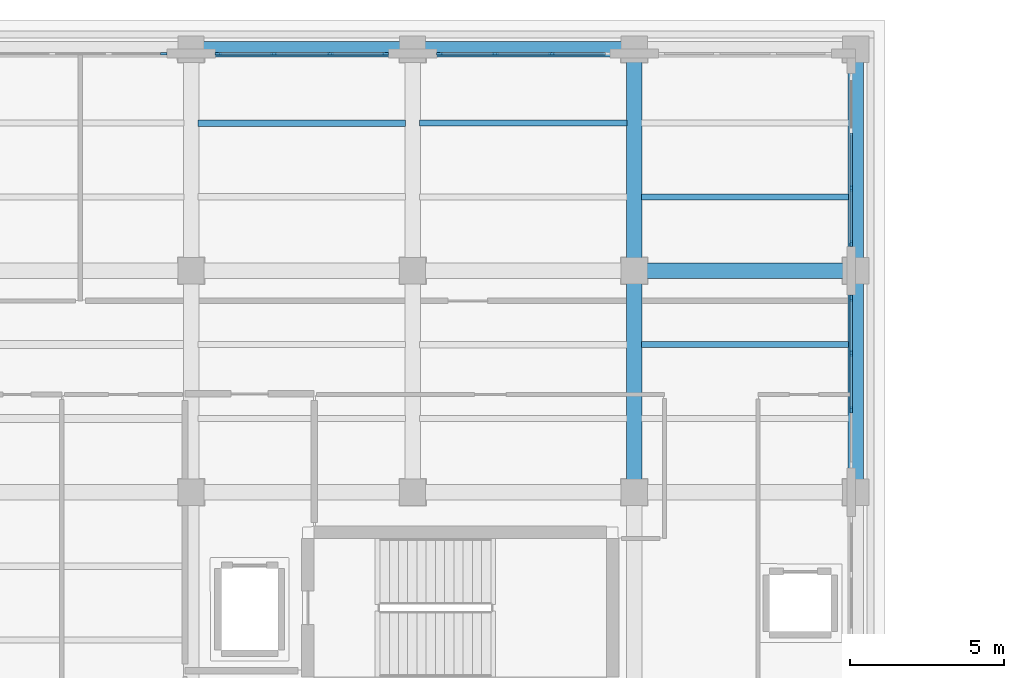
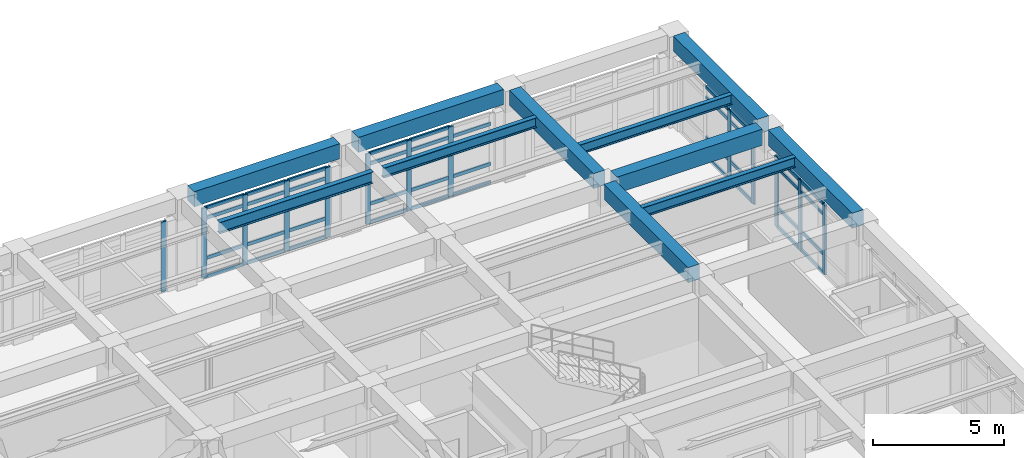
# One storey, part 33 of 69: 52 members, 11 beams, 5 elements without a shape of their own.
"""IFC4 building model written with IfcOpenShell, lengths in metres."""

from ifc_helpers import new_model, si_unit, direction, frame, origin, origin_2d, place, context, subcontext, project, spatial, rectangle, i_section, extrude, material, layer, layer_set, material_profile, profile_set, type_object, element, aggregate, save


model = new_model("IFC4")

# Units and contexts
model_context = context("Model", 3, precision=1e-05, world=origin(), true_north=direction((0.0, 1.0)))
body_context = subcontext(model_context, "Body", "Model", "MODEL_VIEW")
ifc_project = project(units=[si_unit("LENGTHUNIT", "METRE"), si_unit("AREAUNIT", "SQUARE_METRE"), si_unit("VOLUMEUNIT", "CUBIC_METRE"), si_unit("PLANEANGLEUNIT", "RADIAN"), si_unit("MASSUNIT", "GRAM", prefix="KILO")], contexts=[model_context])

# Site, building, storey
site_placement = place(None, origin())
site = spatial("IfcSite", under=ifc_project, at=site_placement, CompositionType="ELEMENT")
building_placement = place(site_placement, origin())
building = spatial("IfcBuilding", under=site, at=building_placement, Name="Solenvale Faculty of Natural Sciences", CompositionType="ELEMENT")
storey_placement = place(building_placement, frame((0.0, 0.0, 4.5)))
storey = spatial("IfcBuildingStorey", under=building, at=storey_placement, Name="L01", CompositionType="ELEMENT", Elevation=4.5)

# Beams
ifc_material_1 = material(Name="Concrete 40 MPa", Category="concrete")
ifc_material_profile_1 = material_profile(ifc_material_1, rectangle(XDim=0.5, YDim=0.699951171875, at=origin_2d()), Name="RC-BM-500x700")
ifc_profile_set_1 = profile_set([ifc_material_profile_1], Name="Concrete 40 MPa")
beam_type_1 = type_object("IfcBeamType", Name="BM-RC-500x700", PredefinedType="BEAM", material=ifc_profile_set_1)
for number, where, z_axis, x_axis, name in (
    (1, (144.0, 101.205078125, 3.8701171875), (0.0, 1.0, 0.0), (-1.0, 0.0, 0.0), "L01 Y-Girder X144.0 (100.8..108.0)"),
    (2, (144.0, 108.405029296875, 3.8701171875), (0.0, 1.0, 0.0), (-1.0, 0.0, 0.0), "L01 Y-Girder X144.0 (108.0..115.2)"),
    (3, (151.199951171875, 101.205078125, 3.8701171875), (0.0, 1.0, 0.0), (-1.0, 0.0, 0.0), "L01 Y-Girder X151.2 (100.8..108.0)"),
    (4, (151.199951171875, 108.405029296875, 3.8701171875), (0.0, 1.0, 0.0), (-1.0, 0.0, 0.0), "L01 Y-Girder X151.2 (108.0..115.2)"),
):
    element("IfcBeam", number, at=place(storey_placement, frame(where, z_axis=z_axis, x_axis=x_axis)), inside=storey, type_object=beam_type_1, Name=name, PredefinedType="BEAM", context=body_context, shape_type="SweptSolid", body=[
        extrude(rectangle(XDim=0.5, YDim=0.699951171875, at=origin_2d()), origin(), (0.0, 0.0, 1.0), 6.389892578125),
    ])
ifc_material_profile_2 = material_profile(ifc_material_1, rectangle(XDim=0.5, YDim=0.75, at=origin_2d()), Name="RC-BM-500x750")
ifc_profile_set_2 = profile_set([ifc_material_profile_2], Name="Concrete 40 MPa")
beam_type_2 = type_object("IfcBeamType", Name="BM-RC-500x750", PredefinedType="BEAM", material=ifc_profile_set_2)
beam_1_placement = place(storey_placement, frame((144.405029296875, 108.0, 3.844970703125), z_axis=(1.0, 0.0, 0.0), x_axis=(0.0, 1.0, 0.0)))
element("IfcBeam", 5, at=beam_1_placement, inside=storey, type_object=beam_type_2, Name="L01 X-Girder Y108.0 (144.0..151.2)", PredefinedType="BEAM", context=body_context, shape_type="SweptSolid", body=[
    extrude(rectangle(XDim=0.5, YDim=0.75, at=origin_2d()), origin(), (0.0, 0.0, 1.0), 6.389892578125),
])
ifc_material_2 = material(Name="Precast concrete 40 MPa", Category="concrete")
ifc_material_profile_3 = material_profile(ifc_material_2, rectangle(XDim=0.5, YDim=0.699951171875, at=origin_2d()), Name="RC-BM-500x700")
ifc_profile_set_3 = profile_set([ifc_material_profile_3], Name="Precast concrete 40 MPa")
beam_type_3 = type_object("IfcBeamType", Name="BM-SPN-PRC-700", PredefinedType="SPANDREL", material=ifc_profile_set_3)
beam_2_placement = place(storey_placement, frame((130.0048828125, 115.199951171875, 3.8701171875), z_axis=(1.0, 0.0, 0.0), x_axis=(0.0, 1.0, 0.0)))
element("IfcBeam", 6, at=beam_2_placement, inside=storey, type_object=beam_type_3, Name="L01 X-Girder Y115.2 (129.6..136.8)", PredefinedType="SPANDREL", context=body_context, shape_type="SweptSolid", body=[
    extrude(rectangle(XDim=0.5, YDim=0.699951171875, at=origin_2d()), origin(), (0.0, 0.0, 1.0), 6.39013671875),
])
beam_3_placement = place(storey_placement, frame((137.205078125, 115.199951171875, 3.8701171875), z_axis=(1.0, 0.0, 0.0), x_axis=(0.0, 1.0, 0.0)))
element("IfcBeam", 7, at=beam_3_placement, inside=storey, type_object=beam_type_3, Name="L01 X-Girder Y115.2 (136.8..144.0)", PredefinedType="SPANDREL", context=body_context, shape_type="SweptSolid", body=[
    extrude(rectangle(XDim=0.5, YDim=0.699951171875, at=origin_2d()), origin(), (0.0, 0.0, 1.0), 6.389892578125),
])
ifc_material_3 = material(Name="Steel S355", Category="steel")
ifc_material_profile_4 = material_profile(ifc_material_3, i_section(OverallWidth=0.194091796875, OverallDepth=0.468994140625, WebThickness=0.0126953125, FlangeThickness=0.0205078125, FilletRadius=0.01806640625, at=origin_2d()), Name="W460x106")
ifc_profile_set_4 = profile_set([ifc_material_profile_4], Name="Steel S355")
beam_type_4 = type_object("IfcBeamType", Name="BM-STL-W460x106", PredefinedType="JOIST", material=ifc_profile_set_4)
for number, where, z_axis, x_axis, name in (
    (8, (137.030029296875, 112.800048828125, 3.985595703125), (1.0, 0.0, 0.0), (0.0, 1.0, 0.0), "L01 Composite Floor Joist (20,16).2"),
    (9, (144.22998046875, 105.60009765625, 3.985595703125), (1.0, 0.0, 0.0), (0.0, 1.0, 0.0), "L01 Composite Floor Joist (21,15).2"),
):
    element("IfcBeam", number, at=place(storey_placement, frame(where, z_axis=z_axis, x_axis=x_axis)), inside=storey, type_object=beam_type_4, Name=name, PredefinedType="JOIST", context=body_context, shape_type="SweptSolid", body=[
        extrude(i_section(OverallWidth=0.194091796875, OverallDepth=0.468994140625, WebThickness=0.0126953125, FlangeThickness=0.0205078125, FilletRadius=0.01806640625, at=origin_2d()), origin(), (0.0, 0.0, 1.0), 6.739990234375),
    ])
ifc_material_profile_5 = material_profile(ifc_material_3, i_section(OverallWidth=0.19091796875, OverallDepth=0.4599609375, WebThickness=0.010009765625, FlangeThickness=0.01611328125, FilletRadius=0.01806640625, at=origin_2d()), Name="W460x82")
ifc_profile_set_5 = profile_set([ifc_material_profile_5], Name="Steel S355")
beam_type_5 = type_object("IfcBeamType", Name="BM-STL-W460x82", PredefinedType="JOIST", material=ifc_profile_set_5)
beam_4_placement = place(storey_placement, frame((144.22998046875, 110.39990234375, 3.989990234375), z_axis=(1.0, 0.0, 0.0), x_axis=(0.0, 1.0, 0.0)))
element("IfcBeam", 10, at=beam_4_placement, inside=storey, type_object=beam_type_5, Name="L01 Composite Floor Joist (21,16).1", PredefinedType="JOIST", context=body_context, shape_type="SweptSolid", body=[
    extrude(i_section(OverallWidth=0.19091796875, OverallDepth=0.4599609375, WebThickness=0.010009765625, FlangeThickness=0.01611328125, FilletRadius=0.01806640625, at=origin_2d()), origin(), (0.0, 0.0, 1.0), 6.739990234375),
])
ifc_material_profile_6 = material_profile(ifc_material_3, i_section(OverallWidth=0.208984375, OverallDepth=0.532958984375, WebThickness=0.01025390625, FlangeThickness=0.015625, FilletRadius=0.01904296875, at=origin_2d()), Name="W530x92")
ifc_profile_set_6 = profile_set([ifc_material_profile_6], Name="Steel S355")
beam_type_6 = type_object("IfcBeamType", Name="BM-STL-W530x92", PredefinedType="JOIST", material=ifc_profile_set_6)
beam_5_placement = place(storey_placement, frame((129.830078125, 112.800048828125, 3.95361328125), z_axis=(1.0, 0.0, 0.0), x_axis=(0.0, 1.0, 0.0)))
element("IfcBeam", 11, at=beam_5_placement, inside=storey, type_object=beam_type_6, Name="L01 Composite Floor Joist (19,16).2", PredefinedType="JOIST", context=body_context, shape_type="SweptSolid", body=[
    extrude(i_section(OverallWidth=0.208984375, OverallDepth=0.532958984375, WebThickness=0.01025390625, FlangeThickness=0.015625, FilletRadius=0.01904296875, at=origin_2d()), origin(), (0.0, 0.0, 1.0), 6.739990234375),
])

# Curtain wall, members
ifc_material_4 = material(Name="Anodised bronze aluminium", Category="aluminium")
ifc_layer = layer(ifc_material_4, 0.179931640625)
ifc_layer_set = layer_set([ifc_layer], Name="Anodised bronze aluminium")
curtain_wall_type = type_object("IfcCurtainWallType", Name="CW-TWR-MOD", PredefinedType="USERDEFINED", material=ifc_layer_set)
curtain_wall_1_placement = place(storey_placement, origin())
curtain_wall_1 = element("IfcCurtainWall", 12, at=curtain_wall_1_placement, inside=storey, type_object=curtain_wall_type, Name="L01 Curtain Wall CW-L01-P2-E3-B2", ObjectType="UNITISED CURTAIN WALL", PredefinedType="USERDEFINED")
ifc_material_profile_7 = material_profile(ifc_material_4, rectangle(XDim=0.074951171875, YDim=0.2099609375, at=origin_2d()), Name="ALU-MUL-75x210")
ifc_profile_set_7 = profile_set([ifc_material_profile_7], Name="Anodised bronze aluminium")
member_type_1 = type_object("IfcMemberType", Name="CWM-ALU-75x210", PredefinedType="MULLION", material=ifc_profile_set_7)
member_1_placement = place(storey_placement, frame((151.0576171875, 103.4833984375, 0.0), z_axis=(0.0, 0.0, 1.0), x_axis=(-1.0, 0.0, 0.0)))
member_1 = element("IfcMember", 13, at=member_1_placement, type_object=member_type_1, Name="CW-04 mullion 2", PredefinedType="MULLION", context=body_context, shape_type="SweptSolid", body=[
    extrude(rectangle(XDim=0.074951171875, YDim=0.2099609375, at=origin_2d()), origin(), (0.0, 0.0, 1.0), 3.260009765625),
])
member_2_placement = place(storey_placement, frame((151.0576171875, 105.316650390625, 0.0), z_axis=(0.0, 0.0, 1.0), x_axis=(-1.0, 0.0, 0.0)))
member_2 = element("IfcMember", 14, at=member_2_placement, type_object=member_type_1, Name="CW-04 mullion 3", PredefinedType="MULLION", context=body_context, shape_type="SweptSolid", body=[
    extrude(rectangle(XDim=0.074951171875, YDim=0.2099609375, at=origin_2d()), origin(), (0.0, 0.0, 1.0), 3.260009765625),
])
member_3_placement = place(storey_placement, frame((151.0576171875, 107.112548828125, 0.0), z_axis=(0.0, 0.0, 1.0), x_axis=(-1.0, 0.0, 0.0)))
member_3 = element("IfcMember", 15, at=member_3_placement, type_object=member_type_1, Name="CW-04 mullion 4", PredefinedType="MULLION", context=body_context, shape_type="SweptSolid", body=[
    extrude(rectangle(XDim=0.074951171875, YDim=0.2099609375, at=origin_2d()), origin(), (0.0, 0.0, 1.0), 3.260009765625),
])

curtain_wall_2_placement = place(storey_placement, origin())
curtain_wall_2 = element("IfcCurtainWall", 16, at=curtain_wall_2_placement, inside=storey, type_object=curtain_wall_type, Name="L01 Curtain Wall CW-L01-P2-E3-B3", ObjectType="UNITISED CURTAIN WALL", PredefinedType="USERDEFINED")
member_4_placement = place(storey_placement, frame((151.0576171875, 108.887451171875, 0.0), z_axis=(0.0, 0.0, 1.0), x_axis=(-1.0, 0.0, 0.0)))
member_4 = element("IfcMember", 17, at=member_4_placement, type_object=member_type_1, Name="CW-04 mullion 1", PredefinedType="MULLION", context=body_context, shape_type="SweptSolid", body=[
    extrude(rectangle(XDim=0.074951171875, YDim=0.2099609375, at=origin_2d()), origin(), (0.0, 0.0, 1.0), 3.260009765625),
])
member_5_placement = place(storey_placement, frame((151.0576171875, 110.683349609375, 0.0), z_axis=(0.0, 0.0, 1.0), x_axis=(-1.0, 0.0, 0.0)))
member_5 = element("IfcMember", 18, at=member_5_placement, type_object=member_type_1, Name="CW-04 mullion 2", PredefinedType="MULLION", context=body_context, shape_type="SweptSolid", body=[
    extrude(rectangle(XDim=0.074951171875, YDim=0.2099609375, at=origin_2d()), origin(), (0.0, 0.0, 1.0), 3.260009765625),
])

curtain_wall_3_placement = place(storey_placement, origin())
curtain_wall_3 = element("IfcCurtainWall", 19, at=curtain_wall_3_placement, inside=storey, type_object=curtain_wall_type, Name="L01 Curtain Wall CW-L01-P2-E4-B2", ObjectType="UNITISED CURTAIN WALL", PredefinedType="USERDEFINED")
member_6_placement = place(storey_placement, frame((141.316650390625, 115.0576171875, 0.0), z_axis=(0.0, 0.0, 1.0), x_axis=(0.0, -1.0, 0.0)))
member_6 = element("IfcMember", 20, at=member_6_placement, type_object=member_type_1, Name="CW-04 mullion 2", PredefinedType="MULLION", context=body_context, shape_type="SweptSolid", body=[
    extrude(rectangle(XDim=0.074951171875, YDim=0.2099609375, at=origin_2d()), origin(), (0.0, 0.0, 1.0), 3.260009765625),
])
member_7_placement = place(storey_placement, frame((139.4833984375, 115.0576171875, 0.0), z_axis=(0.0, 0.0, 1.0), x_axis=(0.0, -1.0, 0.0)))
member_7 = element("IfcMember", 21, at=member_7_placement, type_object=member_type_1, Name="CW-04 mullion 3", PredefinedType="MULLION", context=body_context, shape_type="SweptSolid", body=[
    extrude(rectangle(XDim=0.074951171875, YDim=0.2099609375, at=origin_2d()), origin(), (0.0, 0.0, 1.0), 3.260009765625),
])
member_8_placement = place(storey_placement, frame((137.6875, 115.0576171875, 0.0), z_axis=(0.0, 0.0, 1.0), x_axis=(0.0, -1.0, 0.0)))
member_8 = element("IfcMember", 22, at=member_8_placement, type_object=member_type_1, Name="CW-04 mullion 4", PredefinedType="MULLION", context=body_context, shape_type="SweptSolid", body=[
    extrude(rectangle(XDim=0.074951171875, YDim=0.2099609375, at=origin_2d()), origin(), (0.0, 0.0, 1.0), 3.260009765625),
])

curtain_wall_4_placement = place(storey_placement, origin())
curtain_wall_4 = element("IfcCurtainWall", 23, at=curtain_wall_4_placement, inside=storey, type_object=curtain_wall_type, Name="L01 Curtain Wall CW-L01-P2-E4-B3", ObjectType="UNITISED CURTAIN WALL", PredefinedType="USERDEFINED")
member_9_placement = place(storey_placement, frame((135.91259765625, 115.0576171875, 0.0), z_axis=(0.0, 0.0, 1.0), x_axis=(0.0, -1.0, 0.0)))
member_9 = element("IfcMember", 24, at=member_9_placement, type_object=member_type_1, Name="CW-04 mullion 1", PredefinedType="MULLION", context=body_context, shape_type="SweptSolid", body=[
    extrude(rectangle(XDim=0.074951171875, YDim=0.2099609375, at=origin_2d()), origin(), (0.0, 0.0, 1.0), 3.260009765625),
])
member_10_placement = place(storey_placement, frame((134.11669921875, 115.0576171875, 0.0), z_axis=(0.0, 0.0, 1.0), x_axis=(0.0, -1.0, 0.0)))
member_10 = element("IfcMember", 25, at=member_10_placement, type_object=member_type_1, Name="CW-04 mullion 2", PredefinedType="MULLION", context=body_context, shape_type="SweptSolid", body=[
    extrude(rectangle(XDim=0.074951171875, YDim=0.2099609375, at=origin_2d()), origin(), (0.0, 0.0, 1.0), 3.260009765625),
])
member_11_placement = place(storey_placement, frame((132.283447265625, 115.0576171875, 0.0), z_axis=(0.0, 0.0, 1.0), x_axis=(0.0, -1.0, 0.0)))
member_11 = element("IfcMember", 26, at=member_11_placement, type_object=member_type_1, Name="CW-04 mullion 3", PredefinedType="MULLION", context=body_context, shape_type="SweptSolid", body=[
    extrude(rectangle(XDim=0.074951171875, YDim=0.2099609375, at=origin_2d()), origin(), (0.0, 0.0, 1.0), 3.260009765625),
])
member_12_placement = place(storey_placement, frame((130.487548828125, 115.0576171875, 0.0), z_axis=(0.0, 0.0, 1.0), x_axis=(0.0, -1.0, 0.0)))
member_12 = element("IfcMember", 27, at=member_12_placement, type_object=member_type_1, Name="CW-04 mullion 4", PredefinedType="MULLION", context=body_context, shape_type="SweptSolid", body=[
    extrude(rectangle(XDim=0.074951171875, YDim=0.2099609375, at=origin_2d()), origin(), (0.0, 0.0, 1.0), 3.260009765625),
])

# Curtain wall, member
curtain_wall_5_placement = place(storey_placement, origin())
curtain_wall_5 = element("IfcCurtainWall", 28, at=curtain_wall_5_placement, inside=storey, type_object=curtain_wall_type, Name="L01 Curtain Wall CW-L01-P2-E4-B4", ObjectType="UNITISED CURTAIN WALL", PredefinedType="USERDEFINED")
member_13_placement = place(storey_placement, frame((128.71240234375, 115.0576171875, 0.0), z_axis=(0.0, 0.0, 1.0), x_axis=(0.0, -1.0, 0.0)))
member_13 = element("IfcMember", 29, at=member_13_placement, type_object=member_type_1, Name="CW-04 mullion 1", PredefinedType="MULLION", context=body_context, shape_type="SweptSolid", body=[
    extrude(rectangle(XDim=0.074951171875, YDim=0.2099609375, at=origin_2d()), origin(), (0.0, 0.0, 1.0), 3.260009765625),
])
aggregate(curtain_wall_5, [member_13])

# Member
ifc_material_profile_8 = material_profile(ifc_material_4, rectangle(XDim=0.074951171875, YDim=0.155029296875, at=origin_2d()), Name="ALU-TRN-75x155")
ifc_profile_set_8 = profile_set([ifc_material_profile_8], Name="Anodised bronze aluminium")
member_type_2 = type_object("IfcMemberType", Name="CWT-ALU-75x155", PredefinedType="USERDEFINED", material=ifc_profile_set_8)
member_14_placement = place(storey_placement, frame((151.0576171875, 103.520751953125, 0.03759765625), z_axis=(0.0, 1.0, 0.0), x_axis=(-1.0, 0.0, 0.0)))
member_14 = element("IfcMember", 30, at=member_14_placement, type_object=member_type_2, Name="CW-04 transom 2.1", ObjectType="TRANSOM", PredefinedType="USERDEFINED", context=body_context, shape_type="SweptSolid", body=[
    extrude(rectangle(XDim=0.074951171875, YDim=0.155029296875, at=origin_2d()), origin(), (0.0, 0.0, 1.0), 1.75830078125),
])

member_15_placement = place(storey_placement, frame((151.0576171875, 103.520751953125, 0.89990234375), z_axis=(0.0, 1.0, 0.0), x_axis=(-1.0, 0.0, 0.0)))
member_15 = element("IfcMember", 31, at=member_15_placement, type_object=member_type_2, Name="CW-04 transom 2.2", ObjectType="TRANSOM", PredefinedType="USERDEFINED", context=body_context, shape_type="SweptSolid", body=[
    extrude(rectangle(XDim=0.074951171875, YDim=0.155029296875, at=origin_2d()), origin(), (0.0, 0.0, 1.0), 1.75830078125),
])

member_16_placement = place(storey_placement, frame((151.0576171875, 103.520751953125, 2.760009765625), z_axis=(0.0, 1.0, 0.0), x_axis=(-1.0, 0.0, 0.0)))
member_16 = element("IfcMember", 32, at=member_16_placement, type_object=member_type_2, Name="CW-04 transom 2.3", ObjectType="TRANSOM", PredefinedType="USERDEFINED", context=body_context, shape_type="SweptSolid", body=[
    extrude(rectangle(XDim=0.074951171875, YDim=0.155029296875, at=origin_2d()), origin(), (0.0, 0.0, 1.0), 1.75830078125),
])

member_17_placement = place(storey_placement, frame((151.0576171875, 103.520751953125, 3.222412109375), z_axis=(0.0, 1.0, 0.0), x_axis=(-1.0, 0.0, 0.0)))
member_17 = element("IfcMember", 33, at=member_17_placement, type_object=member_type_2, Name="CW-04 transom 2.4", ObjectType="TRANSOM", PredefinedType="USERDEFINED", context=body_context, shape_type="SweptSolid", body=[
    extrude(rectangle(XDim=0.074951171875, YDim=0.155029296875, at=origin_2d()), origin(), (0.0, 0.0, 1.0), 1.75830078125),
])

member_18_placement = place(storey_placement, frame((151.0576171875, 105.354248046875, 0.03759765625), z_axis=(0.0, 1.0, 0.0), x_axis=(-1.0, 0.0, 0.0)))
member_18 = element("IfcMember", 34, at=member_18_placement, type_object=member_type_2, Name="CW-04 transom 3.1", ObjectType="TRANSOM", PredefinedType="USERDEFINED", context=body_context, shape_type="SweptSolid", body=[
    extrude(rectangle(XDim=0.074951171875, YDim=0.155029296875, at=origin_2d()), origin(), (0.0, 0.0, 1.0), 1.720703125),
])

member_19_placement = place(storey_placement, frame((151.0576171875, 105.354248046875, 0.89990234375), z_axis=(0.0, 1.0, 0.0), x_axis=(-1.0, 0.0, 0.0)))
member_19 = element("IfcMember", 35, at=member_19_placement, type_object=member_type_2, Name="CW-04 transom 3.2", ObjectType="TRANSOM", PredefinedType="USERDEFINED", context=body_context, shape_type="SweptSolid", body=[
    extrude(rectangle(XDim=0.074951171875, YDim=0.155029296875, at=origin_2d()), origin(), (0.0, 0.0, 1.0), 1.720703125),
])

member_20_placement = place(storey_placement, frame((151.0576171875, 105.354248046875, 2.760009765625), z_axis=(0.0, 1.0, 0.0), x_axis=(-1.0, 0.0, 0.0)))
member_20 = element("IfcMember", 36, at=member_20_placement, type_object=member_type_2, Name="CW-04 transom 3.3", ObjectType="TRANSOM", PredefinedType="USERDEFINED", context=body_context, shape_type="SweptSolid", body=[
    extrude(rectangle(XDim=0.074951171875, YDim=0.155029296875, at=origin_2d()), origin(), (0.0, 0.0, 1.0), 1.720703125),
])

member_21_placement = place(storey_placement, frame((151.0576171875, 105.354248046875, 3.222412109375), z_axis=(0.0, 1.0, 0.0), x_axis=(-1.0, 0.0, 0.0)))
member_21 = element("IfcMember", 37, at=member_21_placement, type_object=member_type_2, Name="CW-04 transom 3.4", ObjectType="TRANSOM", PredefinedType="USERDEFINED", context=body_context, shape_type="SweptSolid", body=[
    extrude(rectangle(XDim=0.074951171875, YDim=0.155029296875, at=origin_2d()), origin(), (0.0, 0.0, 1.0), 1.720703125),
])

aggregate(curtain_wall_1, [member_1, member_2, member_3, member_14, member_15, member_16, member_17, member_18, member_19, member_20, member_21])

member_22_placement = place(storey_placement, frame((151.0576171875, 108.925048828125, 0.03759765625), z_axis=(0.0, 1.0, 0.0), x_axis=(-1.0, 0.0, 0.0)))
member_22 = element("IfcMember", 38, at=member_22_placement, type_object=member_type_2, Name="CW-04 transom 1.1", ObjectType="TRANSOM", PredefinedType="USERDEFINED", context=body_context, shape_type="SweptSolid", body=[
    extrude(rectangle(XDim=0.074951171875, YDim=0.155029296875, at=origin_2d()), origin(), (0.0, 0.0, 1.0), 1.720703125),
])

member_23_placement = place(storey_placement, frame((151.0576171875, 108.925048828125, 0.89990234375), z_axis=(0.0, 1.0, 0.0), x_axis=(-1.0, 0.0, 0.0)))
member_23 = element("IfcMember", 39, at=member_23_placement, type_object=member_type_2, Name="CW-04 transom 1.2", ObjectType="TRANSOM", PredefinedType="USERDEFINED", context=body_context, shape_type="SweptSolid", body=[
    extrude(rectangle(XDim=0.074951171875, YDim=0.155029296875, at=origin_2d()), origin(), (0.0, 0.0, 1.0), 1.720703125),
])

member_24_placement = place(storey_placement, frame((151.0576171875, 108.925048828125, 2.760009765625), z_axis=(0.0, 1.0, 0.0), x_axis=(-1.0, 0.0, 0.0)))
member_24 = element("IfcMember", 40, at=member_24_placement, type_object=member_type_2, Name="CW-04 transom 1.3", ObjectType="TRANSOM", PredefinedType="USERDEFINED", context=body_context, shape_type="SweptSolid", body=[
    extrude(rectangle(XDim=0.074951171875, YDim=0.155029296875, at=origin_2d()), origin(), (0.0, 0.0, 1.0), 1.720703125),
])

member_25_placement = place(storey_placement, frame((151.0576171875, 108.925048828125, 3.222412109375), z_axis=(0.0, 1.0, 0.0), x_axis=(-1.0, 0.0, 0.0)))
member_25 = element("IfcMember", 41, at=member_25_placement, type_object=member_type_2, Name="CW-04 transom 1.4", ObjectType="TRANSOM", PredefinedType="USERDEFINED", context=body_context, shape_type="SweptSolid", body=[
    extrude(rectangle(XDim=0.074951171875, YDim=0.155029296875, at=origin_2d()), origin(), (0.0, 0.0, 1.0), 1.720703125),
])

member_26_placement = place(storey_placement, frame((151.0576171875, 110.720947265625, 0.03759765625), z_axis=(0.0, 1.0, 0.0), x_axis=(-1.0, 0.0, 0.0)))
member_26 = element("IfcMember", 42, at=member_26_placement, type_object=member_type_2, Name="CW-04 transom 2.1", ObjectType="TRANSOM", PredefinedType="USERDEFINED", context=body_context, shape_type="SweptSolid", body=[
    extrude(rectangle(XDim=0.074951171875, YDim=0.155029296875, at=origin_2d()), origin(), (0.0, 0.0, 1.0), 1.75830078125),
])

member_27_placement = place(storey_placement, frame((151.0576171875, 110.720947265625, 0.89990234375), z_axis=(0.0, 1.0, 0.0), x_axis=(-1.0, 0.0, 0.0)))
member_27 = element("IfcMember", 43, at=member_27_placement, type_object=member_type_2, Name="CW-04 transom 2.2", ObjectType="TRANSOM", PredefinedType="USERDEFINED", context=body_context, shape_type="SweptSolid", body=[
    extrude(rectangle(XDim=0.074951171875, YDim=0.155029296875, at=origin_2d()), origin(), (0.0, 0.0, 1.0), 1.75830078125),
])

member_28_placement = place(storey_placement, frame((151.0576171875, 110.720947265625, 2.760009765625), z_axis=(0.0, 1.0, 0.0), x_axis=(-1.0, 0.0, 0.0)))
member_28 = element("IfcMember", 44, at=member_28_placement, type_object=member_type_2, Name="CW-04 transom 2.3", ObjectType="TRANSOM", PredefinedType="USERDEFINED", context=body_context, shape_type="SweptSolid", body=[
    extrude(rectangle(XDim=0.074951171875, YDim=0.155029296875, at=origin_2d()), origin(), (0.0, 0.0, 1.0), 1.75830078125),
])

member_29_placement = place(storey_placement, frame((151.0576171875, 110.720947265625, 3.222412109375), z_axis=(0.0, 1.0, 0.0), x_axis=(-1.0, 0.0, 0.0)))
member_29 = element("IfcMember", 45, at=member_29_placement, type_object=member_type_2, Name="CW-04 transom 2.4", ObjectType="TRANSOM", PredefinedType="USERDEFINED", context=body_context, shape_type="SweptSolid", body=[
    extrude(rectangle(XDim=0.074951171875, YDim=0.155029296875, at=origin_2d()), origin(), (0.0, 0.0, 1.0), 1.75830078125),
])

aggregate(curtain_wall_2, [member_4, member_5, member_22, member_23, member_24, member_25, member_26, member_27, member_28, member_29])

member_30_placement = place(storey_placement, frame((143.074951171875, 115.0576171875, 0.03759765625), z_axis=(-1.0, 0.0, 0.0), x_axis=(0.0, -1.0, 0.0)))
member_30 = element("IfcMember", 46, at=member_30_placement, type_object=member_type_2, Name="CW-04 transom 1.1", ObjectType="TRANSOM", PredefinedType="USERDEFINED", context=body_context, shape_type="SweptSolid", body=[
    extrude(rectangle(XDim=0.074951171875, YDim=0.155029296875, at=origin_2d()), origin(), (0.0, 0.0, 1.0), 1.720703125),
])

member_31_placement = place(storey_placement, frame((143.074951171875, 115.0576171875, 0.89990234375), z_axis=(-1.0, 0.0, 0.0), x_axis=(0.0, -1.0, 0.0)))
member_31 = element("IfcMember", 47, at=member_31_placement, type_object=member_type_2, Name="CW-04 transom 1.2", ObjectType="TRANSOM", PredefinedType="USERDEFINED", context=body_context, shape_type="SweptSolid", body=[
    extrude(rectangle(XDim=0.074951171875, YDim=0.155029296875, at=origin_2d()), origin(), (0.0, 0.0, 1.0), 1.720703125),
])

member_32_placement = place(storey_placement, frame((143.074951171875, 115.0576171875, 2.760009765625), z_axis=(-1.0, 0.0, 0.0), x_axis=(0.0, -1.0, 0.0)))
member_32 = element("IfcMember", 48, at=member_32_placement, type_object=member_type_2, Name="CW-04 transom 1.3", ObjectType="TRANSOM", PredefinedType="USERDEFINED", context=body_context, shape_type="SweptSolid", body=[
    extrude(rectangle(XDim=0.074951171875, YDim=0.155029296875, at=origin_2d()), origin(), (0.0, 0.0, 1.0), 1.720703125),
])

member_33_placement = place(storey_placement, frame((141.279052734375, 115.0576171875, 0.03759765625), z_axis=(-1.0, 0.0, 0.0), x_axis=(0.0, -1.0, 0.0)))
member_33 = element("IfcMember", 49, at=member_33_placement, type_object=member_type_2, Name="CW-04 transom 2.1", ObjectType="TRANSOM", PredefinedType="USERDEFINED", context=body_context, shape_type="SweptSolid", body=[
    extrude(rectangle(XDim=0.074951171875, YDim=0.155029296875, at=origin_2d()), origin(), (0.0, 0.0, 1.0), 1.75830078125),
])

member_34_placement = place(storey_placement, frame((141.279052734375, 115.0576171875, 0.89990234375), z_axis=(-1.0, 0.0, 0.0), x_axis=(0.0, -1.0, 0.0)))
member_34 = element("IfcMember", 50, at=member_34_placement, type_object=member_type_2, Name="CW-04 transom 2.2", ObjectType="TRANSOM", PredefinedType="USERDEFINED", context=body_context, shape_type="SweptSolid", body=[
    extrude(rectangle(XDim=0.074951171875, YDim=0.155029296875, at=origin_2d()), origin(), (0.0, 0.0, 1.0), 1.75830078125),
])

member_35_placement = place(storey_placement, frame((141.279052734375, 115.0576171875, 2.760009765625), z_axis=(-1.0, 0.0, 0.0), x_axis=(0.0, -1.0, 0.0)))
member_35 = element("IfcMember", 51, at=member_35_placement, type_object=member_type_2, Name="CW-04 transom 2.3", ObjectType="TRANSOM", PredefinedType="USERDEFINED", context=body_context, shape_type="SweptSolid", body=[
    extrude(rectangle(XDim=0.074951171875, YDim=0.155029296875, at=origin_2d()), origin(), (0.0, 0.0, 1.0), 1.75830078125),
])

member_36_placement = place(storey_placement, frame((141.279052734375, 115.0576171875, 3.222412109375), z_axis=(-1.0, 0.0, 0.0), x_axis=(0.0, -1.0, 0.0)))
member_36 = element("IfcMember", 52, at=member_36_placement, type_object=member_type_2, Name="CW-04 transom 2.4", ObjectType="TRANSOM", PredefinedType="USERDEFINED", context=body_context, shape_type="SweptSolid", body=[
    extrude(rectangle(XDim=0.074951171875, YDim=0.155029296875, at=origin_2d()), origin(), (0.0, 0.0, 1.0), 1.75830078125),
])

member_37_placement = place(storey_placement, frame((139.44580078125, 115.0576171875, 0.03759765625), z_axis=(-1.0, 0.0, 0.0), x_axis=(0.0, -1.0, 0.0)))
member_37 = element("IfcMember", 53, at=member_37_placement, type_object=member_type_2, Name="CW-04 transom 3.1", ObjectType="TRANSOM", PredefinedType="USERDEFINED", context=body_context, shape_type="SweptSolid", body=[
    extrude(rectangle(XDim=0.074951171875, YDim=0.155029296875, at=origin_2d()), origin(), (0.0, 0.0, 1.0), 1.720703125),
])

member_38_placement = place(storey_placement, frame((139.44580078125, 115.0576171875, 0.89990234375), z_axis=(-1.0, 0.0, 0.0), x_axis=(0.0, -1.0, 0.0)))
member_38 = element("IfcMember", 54, at=member_38_placement, type_object=member_type_2, Name="CW-04 transom 3.2", ObjectType="TRANSOM", PredefinedType="USERDEFINED", context=body_context, shape_type="SweptSolid", body=[
    extrude(rectangle(XDim=0.074951171875, YDim=0.155029296875, at=origin_2d()), origin(), (0.0, 0.0, 1.0), 1.720703125),
])

member_39_placement = place(storey_placement, frame((139.44580078125, 115.0576171875, 2.760009765625), z_axis=(-1.0, 0.0, 0.0), x_axis=(0.0, -1.0, 0.0)))
member_39 = element("IfcMember", 55, at=member_39_placement, type_object=member_type_2, Name="CW-04 transom 3.3", ObjectType="TRANSOM", PredefinedType="USERDEFINED", context=body_context, shape_type="SweptSolid", body=[
    extrude(rectangle(XDim=0.074951171875, YDim=0.155029296875, at=origin_2d()), origin(), (0.0, 0.0, 1.0), 1.720703125),
])

member_40_placement = place(storey_placement, frame((139.44580078125, 115.0576171875, 3.222412109375), z_axis=(-1.0, 0.0, 0.0), x_axis=(0.0, -1.0, 0.0)))
member_40 = element("IfcMember", 56, at=member_40_placement, type_object=member_type_2, Name="CW-04 transom 3.4", ObjectType="TRANSOM", PredefinedType="USERDEFINED", context=body_context, shape_type="SweptSolid", body=[
    extrude(rectangle(XDim=0.074951171875, YDim=0.155029296875, at=origin_2d()), origin(), (0.0, 0.0, 1.0), 1.720703125),
])

aggregate(curtain_wall_3, [member_6, member_7, member_8, member_30, member_31, member_32, member_33, member_34, member_35, member_36, member_37, member_38, member_39, member_40])

member_41_placement = place(storey_placement, frame((135.875, 115.0576171875, 0.03759765625), z_axis=(-1.0, 0.0, 0.0), x_axis=(0.0, -1.0, 0.0)))
member_41 = element("IfcMember", 57, at=member_41_placement, type_object=member_type_2, Name="CW-04 transom 1.1", ObjectType="TRANSOM", PredefinedType="USERDEFINED", context=body_context, shape_type="SweptSolid", body=[
    extrude(rectangle(XDim=0.074951171875, YDim=0.155029296875, at=origin_2d()), origin(), (0.0, 0.0, 1.0), 1.720947265625),
])

member_42_placement = place(storey_placement, frame((135.875, 115.0576171875, 0.89990234375), z_axis=(-1.0, 0.0, 0.0), x_axis=(0.0, -1.0, 0.0)))
member_42 = element("IfcMember", 58, at=member_42_placement, type_object=member_type_2, Name="CW-04 transom 1.2", ObjectType="TRANSOM", PredefinedType="USERDEFINED", context=body_context, shape_type="SweptSolid", body=[
    extrude(rectangle(XDim=0.074951171875, YDim=0.155029296875, at=origin_2d()), origin(), (0.0, 0.0, 1.0), 1.720947265625),
])

member_43_placement = place(storey_placement, frame((135.875, 115.0576171875, 2.760009765625), z_axis=(-1.0, 0.0, 0.0), x_axis=(0.0, -1.0, 0.0)))
member_43 = element("IfcMember", 59, at=member_43_placement, type_object=member_type_2, Name="CW-04 transom 1.3", ObjectType="TRANSOM", PredefinedType="USERDEFINED", context=body_context, shape_type="SweptSolid", body=[
    extrude(rectangle(XDim=0.074951171875, YDim=0.155029296875, at=origin_2d()), origin(), (0.0, 0.0, 1.0), 1.720947265625),
])

member_44_placement = place(storey_placement, frame((135.875, 115.0576171875, 3.222412109375), z_axis=(-1.0, 0.0, 0.0), x_axis=(0.0, -1.0, 0.0)))
member_44 = element("IfcMember", 60, at=member_44_placement, type_object=member_type_2, Name="CW-04 transom 1.4", ObjectType="TRANSOM", PredefinedType="USERDEFINED", context=body_context, shape_type="SweptSolid", body=[
    extrude(rectangle(XDim=0.074951171875, YDim=0.155029296875, at=origin_2d()), origin(), (0.0, 0.0, 1.0), 1.720947265625),
])

member_45_placement = place(storey_placement, frame((134.0791015625, 115.0576171875, 0.03759765625), z_axis=(-1.0, 0.0, 0.0), x_axis=(0.0, -1.0, 0.0)))
member_45 = element("IfcMember", 61, at=member_45_placement, type_object=member_type_2, Name="CW-04 transom 2.1", ObjectType="TRANSOM", PredefinedType="USERDEFINED", context=body_context, shape_type="SweptSolid", body=[
    extrude(rectangle(XDim=0.074951171875, YDim=0.155029296875, at=origin_2d()), origin(), (0.0, 0.0, 1.0), 1.75830078125),
])

member_46_placement = place(storey_placement, frame((134.0791015625, 115.0576171875, 0.89990234375), z_axis=(-1.0, 0.0, 0.0), x_axis=(0.0, -1.0, 0.0)))
member_46 = element("IfcMember", 62, at=member_46_placement, type_object=member_type_2, Name="CW-04 transom 2.2", ObjectType="TRANSOM", PredefinedType="USERDEFINED", context=body_context, shape_type="SweptSolid", body=[
    extrude(rectangle(XDim=0.074951171875, YDim=0.155029296875, at=origin_2d()), origin(), (0.0, 0.0, 1.0), 1.75830078125),
])

member_47_placement = place(storey_placement, frame((134.0791015625, 115.0576171875, 2.760009765625), z_axis=(-1.0, 0.0, 0.0), x_axis=(0.0, -1.0, 0.0)))
member_47 = element("IfcMember", 63, at=member_47_placement, type_object=member_type_2, Name="CW-04 transom 2.3", ObjectType="TRANSOM", PredefinedType="USERDEFINED", context=body_context, shape_type="SweptSolid", body=[
    extrude(rectangle(XDim=0.074951171875, YDim=0.155029296875, at=origin_2d()), origin(), (0.0, 0.0, 1.0), 1.75830078125),
])

member_48_placement = place(storey_placement, frame((134.0791015625, 115.0576171875, 3.222412109375), z_axis=(-1.0, 0.0, 0.0), x_axis=(0.0, -1.0, 0.0)))
member_48 = element("IfcMember", 64, at=member_48_placement, type_object=member_type_2, Name="CW-04 transom 2.4", ObjectType="TRANSOM", PredefinedType="USERDEFINED", context=body_context, shape_type="SweptSolid", body=[
    extrude(rectangle(XDim=0.074951171875, YDim=0.155029296875, at=origin_2d()), origin(), (0.0, 0.0, 1.0), 1.75830078125),
])

member_49_placement = place(storey_placement, frame((132.245849609375, 115.0576171875, 0.03759765625), z_axis=(-1.0, 0.0, 0.0), x_axis=(0.0, -1.0, 0.0)))
member_49 = element("IfcMember", 65, at=member_49_placement, type_object=member_type_2, Name="CW-04 transom 3.1", ObjectType="TRANSOM", PredefinedType="USERDEFINED", context=body_context, shape_type="SweptSolid", body=[
    extrude(rectangle(XDim=0.074951171875, YDim=0.155029296875, at=origin_2d()), origin(), (0.0, 0.0, 1.0), 1.720947265625),
])

member_50_placement = place(storey_placement, frame((132.245849609375, 115.0576171875, 0.89990234375), z_axis=(-1.0, 0.0, 0.0), x_axis=(0.0, -1.0, 0.0)))
member_50 = element("IfcMember", 66, at=member_50_placement, type_object=member_type_2, Name="CW-04 transom 3.2", ObjectType="TRANSOM", PredefinedType="USERDEFINED", context=body_context, shape_type="SweptSolid", body=[
    extrude(rectangle(XDim=0.074951171875, YDim=0.155029296875, at=origin_2d()), origin(), (0.0, 0.0, 1.0), 1.720947265625),
])

member_51_placement = place(storey_placement, frame((132.245849609375, 115.0576171875, 2.760009765625), z_axis=(-1.0, 0.0, 0.0), x_axis=(0.0, -1.0, 0.0)))
member_51 = element("IfcMember", 67, at=member_51_placement, type_object=member_type_2, Name="CW-04 transom 3.3", ObjectType="TRANSOM", PredefinedType="USERDEFINED", context=body_context, shape_type="SweptSolid", body=[
    extrude(rectangle(XDim=0.074951171875, YDim=0.155029296875, at=origin_2d()), origin(), (0.0, 0.0, 1.0), 1.720947265625),
])

member_52_placement = place(storey_placement, frame((132.245849609375, 115.0576171875, 3.222412109375), z_axis=(-1.0, 0.0, 0.0), x_axis=(0.0, -1.0, 0.0)))
member_52 = element("IfcMember", 68, at=member_52_placement, type_object=member_type_2, Name="CW-04 transom 3.4", ObjectType="TRANSOM", PredefinedType="USERDEFINED", context=body_context, shape_type="SweptSolid", body=[
    extrude(rectangle(XDim=0.074951171875, YDim=0.155029296875, at=origin_2d()), origin(), (0.0, 0.0, 1.0), 1.720947265625),
])

aggregate(curtain_wall_4, [member_9, member_10, member_11, member_12, member_41, member_42, member_43, member_44, member_45, member_46, member_47, member_48, member_49, member_50, member_51, member_52])

save(model, "model.ifc")
